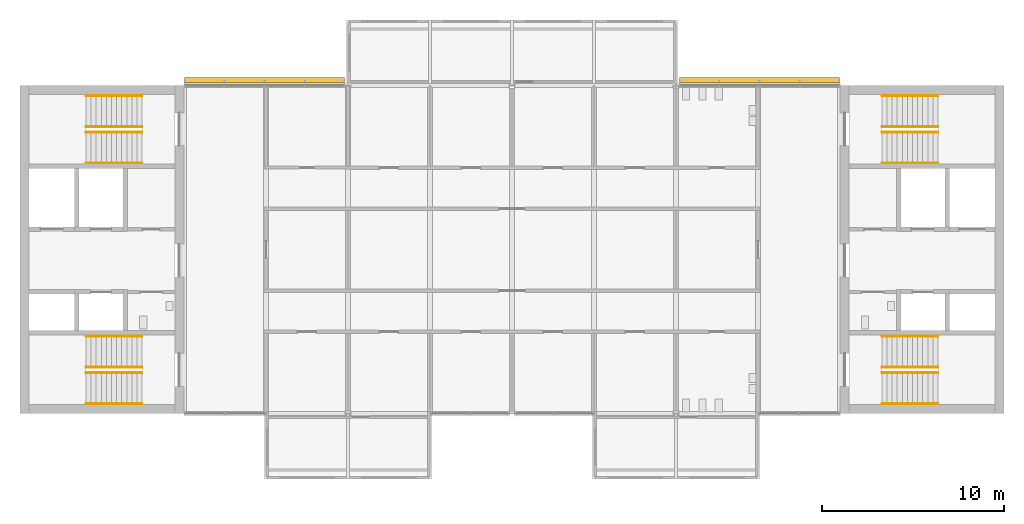
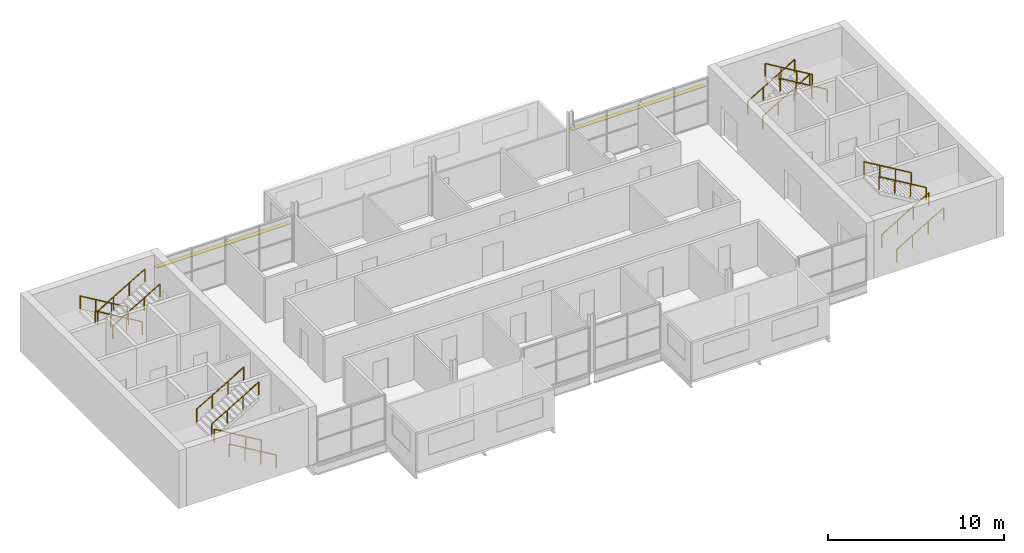
# One storey, part 9 of 10: 16 railings, 2 shading devices.
"""IFC4 building model written with IfcOpenShell, lengths in metres."""

from ifc_helpers import new_model, si_unit, direction, frame, origin, origin_2d, place, context, subcontext, project, spatial, rectangle, circle, extrude, material, layer, layer_set, type_object, element, save


model = new_model("IFC4")

# Units and contexts
model_context = context("Model", 3, precision=1e-05, world=origin(), true_north=direction((0.0, 1.0)))
body_context = subcontext(model_context, "Body", "Model", "MODEL_VIEW")
ifc_project = project(units=[si_unit("LENGTHUNIT", "METRE"), si_unit("AREAUNIT", "SQUARE_METRE"), si_unit("VOLUMEUNIT", "CUBIC_METRE"), si_unit("PLANEANGLEUNIT", "RADIAN"), si_unit("MASSUNIT", "GRAM", prefix="KILO")], contexts=[model_context])

# Site, building, storey
site_placement = place(None, origin())
site = spatial("IfcSite", under=ifc_project, at=site_placement, CompositionType="ELEMENT")
building_placement = place(site_placement, origin())
building = spatial("IfcBuilding", under=site, at=building_placement, Name="Corbel Yard City Hall", CompositionType="ELEMENT")
storey_placement = place(building_placement, frame((0.0, 0.0, 59.199951171875)))
storey = spatial("IfcBuildingStorey", under=building, at=storey_placement, Name="L14", CompositionType="ELEMENT", Elevation=59.199951171875)

# Railings
ifc_material_1 = material(Name="Stainless steel Grade 316", Category="steel")
railing_type = type_object("IfcRailingType", Name="HR1", PredefinedType="HANDRAIL", material=ifc_material_1)
for number, where, name in (
    (1, (6.699951171875, 99.550048828125, 0.166748046875), "Exit stair ST-W1 handrail"),
    (2, (6.699951171875, 101.25, 0.166748046875), "Exit stair ST-W1 handrail"),
):
    element("IfcRailing", number, at=place(storey_placement, frame(where)), inside=storey, type_object=railing_type, Name=name, PredefinedType="HANDRAIL", context=body_context, shape_type="SweptSolid", body=[
        extrude(circle(Radius=0.02392578125, at=origin_2d()), frame((0.0, 0.0, 0.8759765625), z_axis=(-0.859290745958, 0.0, 0.51148745235), x_axis=(0.0, -1.0, 0.0)), (0.0, 0.0, 1.0), 3.584228515625),
        extrude(circle(Radius=0.02099609375, at=origin_2d()), origin(), (0.0, 0.0, 1.0), 0.851806640625),
        extrude(circle(Radius=0.02099609375, at=origin_2d()), frame((-1.026611328125, 0.0, 0.611083984375)), (0.0, 0.0, 1.0), 0.851806640625),
        extrude(circle(Radius=0.02099609375, at=origin_2d()), frame((-2.05322265625, 0.0, 1.22216796875)), (0.0, 0.0, 1.0), 0.851806640625),
        extrude(circle(Radius=0.02099609375, at=origin_2d()), frame((-3.079833984375, 0.0, 1.833251953125)), (0.0, 0.0, 1.0), 0.851806640625),
    ])
for number, where, name in (
    (3, (3.6201171875, 101.550048828125, 2.166748046875), "Exit stair ST-W1 handrail"),
    (4, (3.6201171875, 103.25, 2.166748046875), "Exit stair ST-W1 handrail"),
):
    element("IfcRailing", number, at=place(storey_placement, frame(where)), inside=storey, type_object=railing_type, Name=name, PredefinedType="HANDRAIL", context=body_context, shape_type="SweptSolid", body=[
        extrude(circle(Radius=0.02392578125, at=origin_2d()), frame((0.0, 0.0, 0.8759765625), z_axis=(0.859290745958, 0.0, 0.51148745235), x_axis=(0.0, 1.0, 0.0)), (0.0, 0.0, 1.0), 3.584228515625),
        extrude(circle(Radius=0.02099609375, at=origin_2d()), origin(), (0.0, 0.0, 1.0), 0.851806640625),
        extrude(circle(Radius=0.02099609375, at=origin_2d()), frame((1.026611328125, 0.0, 0.611083984375)), (0.0, 0.0, 1.0), 0.851806640625),
        extrude(circle(Radius=0.02099609375, at=origin_2d()), frame((2.05322265625, 0.0, 1.22216796875)), (0.0, 0.0, 1.0), 0.851806640625),
        extrude(circle(Radius=0.02099609375, at=origin_2d()), frame((3.079833984375, 0.0, 1.833251953125)), (0.0, 0.0, 1.0), 0.851806640625),
    ])
for number, where, name in (
    (5, (6.699951171875, 116.449951171875, 0.166748046875), "Exit stair ST-W2 handrail"),
    (6, (6.699951171875, 114.75, 0.166748046875), "Exit stair ST-W2 handrail"),
):
    element("IfcRailing", number, at=place(storey_placement, frame(where)), inside=storey, type_object=railing_type, Name=name, PredefinedType="HANDRAIL", context=body_context, shape_type="SweptSolid", body=[
        extrude(circle(Radius=0.02392578125, at=origin_2d()), frame((0.0, 0.0, 0.8759765625), z_axis=(-0.859290745958, 0.0, 0.51148745235), x_axis=(0.0, -1.0, 0.0)), (0.0, 0.0, 1.0), 3.584228515625),
        extrude(circle(Radius=0.02099609375, at=origin_2d()), origin(), (0.0, 0.0, 1.0), 0.851806640625),
        extrude(circle(Radius=0.02099609375, at=origin_2d()), frame((-1.026611328125, 0.0, 0.611083984375)), (0.0, 0.0, 1.0), 0.851806640625),
        extrude(circle(Radius=0.02099609375, at=origin_2d()), frame((-2.05322265625, 0.0, 1.22216796875)), (0.0, 0.0, 1.0), 0.851806640625),
        extrude(circle(Radius=0.02099609375, at=origin_2d()), frame((-3.079833984375, 0.0, 1.833251953125)), (0.0, 0.0, 1.0), 0.851806640625),
    ])
for number, where, name in (
    (7, (3.6201171875, 114.449951171875, 2.166748046875), "Exit stair ST-W2 handrail"),
    (8, (3.6201171875, 112.75, 2.166748046875), "Exit stair ST-W2 handrail"),
    (9, (47.300048828125, 99.550048828125, 0.166748046875), "Exit stair ST-E1 handrail"),
    (10, (47.300048828125, 101.25, 0.166748046875), "Exit stair ST-E1 handrail"),
):
    element("IfcRailing", number, at=place(storey_placement, frame(where)), inside=storey, type_object=railing_type, Name=name, PredefinedType="HANDRAIL", context=body_context, shape_type="SweptSolid", body=[
        extrude(circle(Radius=0.02392578125, at=origin_2d()), frame((0.0, 0.0, 0.8759765625), z_axis=(0.859290745958, 0.0, 0.51148745235), x_axis=(0.0, 1.0, 0.0)), (0.0, 0.0, 1.0), 3.584228515625),
        extrude(circle(Radius=0.02099609375, at=origin_2d()), origin(), (0.0, 0.0, 1.0), 0.851806640625),
        extrude(circle(Radius=0.02099609375, at=origin_2d()), frame((1.026611328125, 0.0, 0.611083984375)), (0.0, 0.0, 1.0), 0.851806640625),
        extrude(circle(Radius=0.02099609375, at=origin_2d()), frame((2.05322265625, 0.0, 1.22216796875)), (0.0, 0.0, 1.0), 0.851806640625),
        extrude(circle(Radius=0.02099609375, at=origin_2d()), frame((3.079833984375, 0.0, 1.833251953125)), (0.0, 0.0, 1.0), 0.851806640625),
    ])
for number, where, name in (
    (11, (50.3798828125, 101.550048828125, 2.166748046875), "Exit stair ST-E1 handrail"),
    (12, (50.3798828125, 103.25, 2.166748046875), "Exit stair ST-E1 handrail"),
):
    element("IfcRailing", number, at=place(storey_placement, frame(where)), inside=storey, type_object=railing_type, Name=name, PredefinedType="HANDRAIL", context=body_context, shape_type="SweptSolid", body=[
        extrude(circle(Radius=0.02392578125, at=origin_2d()), frame((0.0, 0.0, 0.8759765625), z_axis=(-0.859290745958, 0.0, 0.51148745235), x_axis=(0.0, -1.0, 0.0)), (0.0, 0.0, 1.0), 3.584228515625),
        extrude(circle(Radius=0.02099609375, at=origin_2d()), origin(), (0.0, 0.0, 1.0), 0.851806640625),
        extrude(circle(Radius=0.02099609375, at=origin_2d()), frame((-1.026611328125, 0.0, 0.611083984375)), (0.0, 0.0, 1.0), 0.851806640625),
        extrude(circle(Radius=0.02099609375, at=origin_2d()), frame((-2.05322265625, 0.0, 1.22216796875)), (0.0, 0.0, 1.0), 0.851806640625),
        extrude(circle(Radius=0.02099609375, at=origin_2d()), frame((-3.079833984375, 0.0, 1.833251953125)), (0.0, 0.0, 1.0), 0.851806640625),
    ])
for number, where, name in (
    (13, (47.300048828125, 116.449951171875, 0.166748046875), "Exit stair ST-E2 handrail"),
    (14, (47.300048828125, 114.75, 0.166748046875), "Exit stair ST-E2 handrail"),
):
    element("IfcRailing", number, at=place(storey_placement, frame(where)), inside=storey, type_object=railing_type, Name=name, PredefinedType="HANDRAIL", context=body_context, shape_type="SweptSolid", body=[
        extrude(circle(Radius=0.02392578125, at=origin_2d()), frame((0.0, 0.0, 0.8759765625), z_axis=(0.859290745958, 0.0, 0.51148745235), x_axis=(0.0, 1.0, 0.0)), (0.0, 0.0, 1.0), 3.584228515625),
        extrude(circle(Radius=0.02099609375, at=origin_2d()), origin(), (0.0, 0.0, 1.0), 0.851806640625),
        extrude(circle(Radius=0.02099609375, at=origin_2d()), frame((1.026611328125, 0.0, 0.611083984375)), (0.0, 0.0, 1.0), 0.851806640625),
        extrude(circle(Radius=0.02099609375, at=origin_2d()), frame((2.05322265625, 0.0, 1.22216796875)), (0.0, 0.0, 1.0), 0.851806640625),
        extrude(circle(Radius=0.02099609375, at=origin_2d()), frame((3.079833984375, 0.0, 1.833251953125)), (0.0, 0.0, 1.0), 0.851806640625),
    ])
for number, where, name in (
    (15, (50.3798828125, 114.449951171875, 2.166748046875), "Exit stair ST-E2 handrail"),
    (16, (50.3798828125, 112.75, 2.166748046875), "Exit stair ST-E2 handrail"),
):
    element("IfcRailing", number, at=place(storey_placement, frame(where)), inside=storey, type_object=railing_type, Name=name, PredefinedType="HANDRAIL", context=body_context, shape_type="SweptSolid", body=[
        extrude(circle(Radius=0.02392578125, at=origin_2d()), frame((0.0, 0.0, 0.8759765625), z_axis=(-0.859290745958, 0.0, 0.51148745235), x_axis=(0.0, -1.0, 0.0)), (0.0, 0.0, 1.0), 3.584228515625),
        extrude(circle(Radius=0.02099609375, at=origin_2d()), origin(), (0.0, 0.0, 1.0), 0.851806640625),
        extrude(circle(Radius=0.02099609375, at=origin_2d()), frame((-1.026611328125, 0.0, 0.611083984375)), (0.0, 0.0, 1.0), 0.851806640625),
        extrude(circle(Radius=0.02099609375, at=origin_2d()), frame((-2.05322265625, 0.0, 1.22216796875)), (0.0, 0.0, 1.0), 0.851806640625),
        extrude(circle(Radius=0.02099609375, at=origin_2d()), frame((-3.079833984375, 0.0, 1.833251953125)), (0.0, 0.0, 1.0), 0.851806640625),
    ])

# Shading devices
ifc_material_2 = material(Name="Anodised aluminium", Category="aluminium")
ifc_layer = layer(ifc_material_2, 0.0400390625)
ifc_layer_set = layer_set([ifc_layer], Name="Anodised aluminium")
shading_device_type = type_object("IfcShadingDeviceType", Name="LV1", PredefinedType="JALOUSIE", material=ifc_layer_set)
for number, where, z_axis, x_axis, name in (
    (17, (13.418212890625, 117.2900390625, 2.45849609375), (0.0, 0.0, 1.0), (1.0, 0.0, 0.0), "Louvre blade"),
    (18, (40.581787109375, 117.2900390625, 2.45849609375), (0.0, 0.0, 1.0), (1.0, 0.0, 0.0), "Louvre blade"),
):
    element("IfcShadingDevice", number, at=place(storey_placement, frame(where, z_axis=z_axis, x_axis=x_axis)), inside=storey, type_object=shading_device_type, Name=name, PredefinedType="JALOUSIE", context=body_context, shape_type="SweptSolid", body=[
        extrude(rectangle(XDim=8.771484375, YDim=0.300048828125, at=origin_2d()), origin(), (0.0, 0.0, 1.0), 0.0400390625),
    ])

save(model, "model.ifc")
